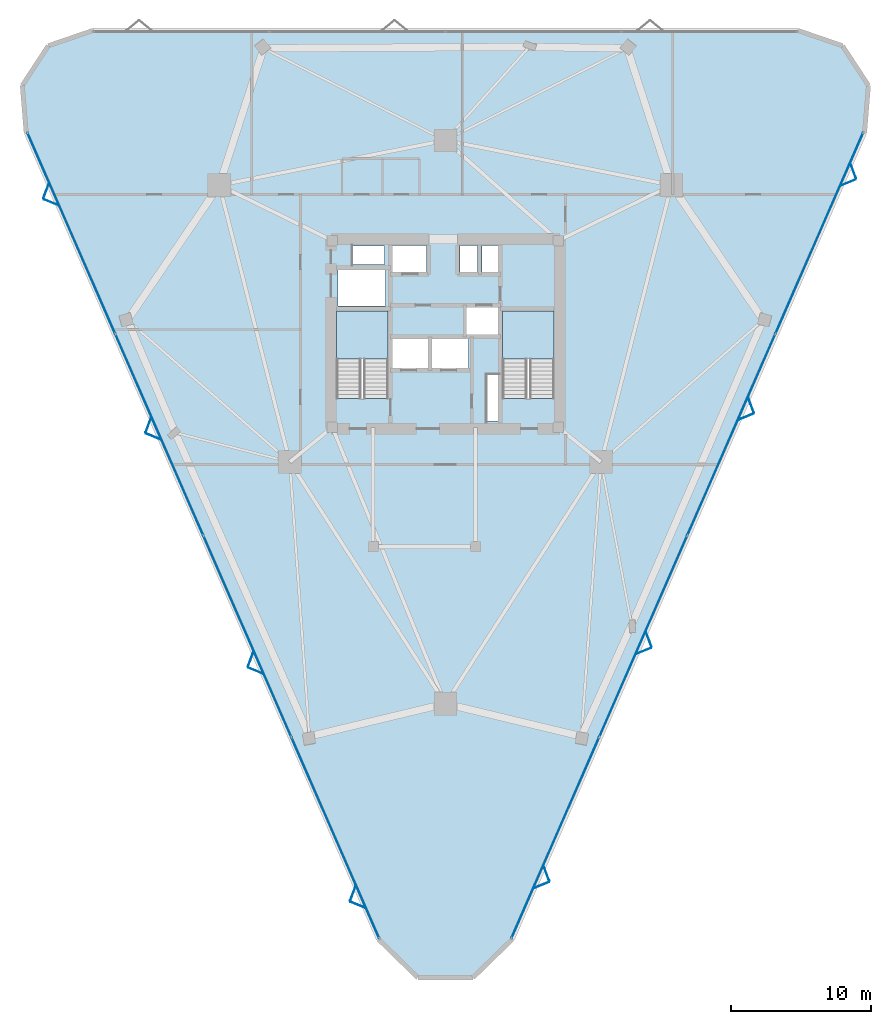
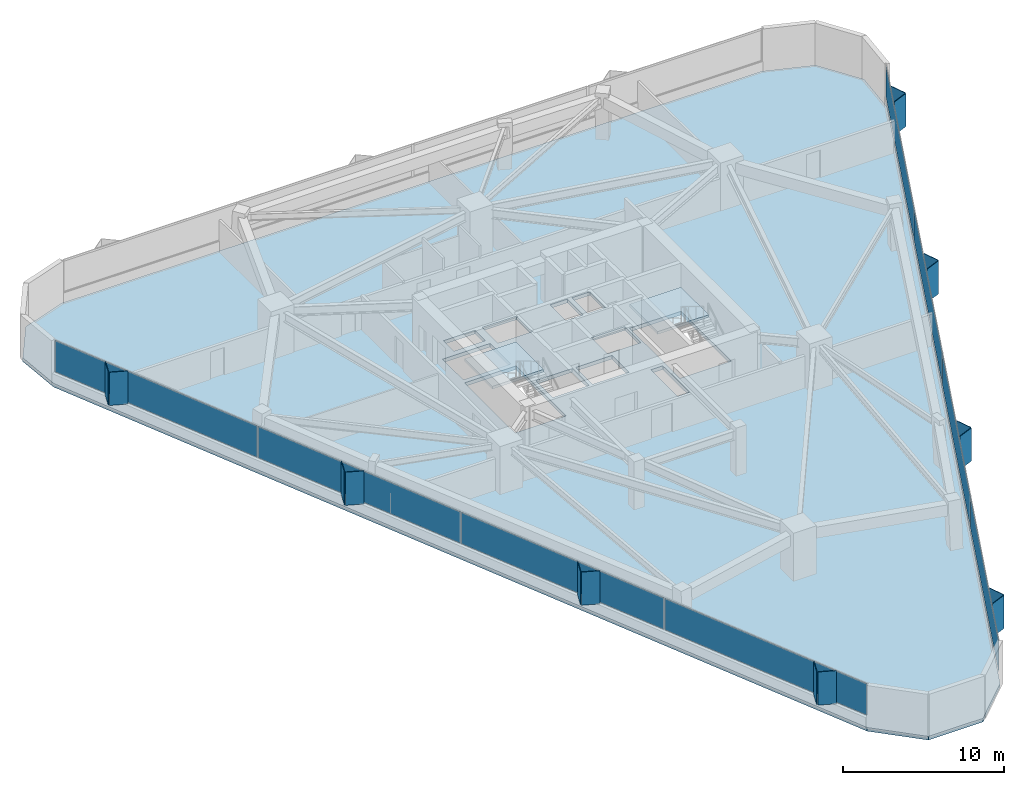
# One storey, part 9 of 14: 24 plates, 3 slabs, 4 elements without a shape of their own.
"""IFC4 building model written with IfcOpenShell, lengths in metres."""

from ifc_helpers import new_model, si_unit, direction, frame, origin, origin_2d, place, context, subcontext, project, spatial, polyline, rectangle, outline, extrude, material, layer, layer_set, type_object, element, aggregate, save


model = new_model("IFC4")

# Units and contexts
model_context = context("Model", 3, precision=1e-05, world=origin(), true_north=direction((0.0, 1.0)))
body_context = subcontext(model_context, "Body", "Model", "MODEL_VIEW")
ifc_project = project(units=[si_unit("LENGTHUNIT", "METRE"), si_unit("AREAUNIT", "SQUARE_METRE"), si_unit("VOLUMEUNIT", "CUBIC_METRE"), si_unit("PLANEANGLEUNIT", "RADIAN"), si_unit("MASSUNIT", "GRAM", prefix="KILO")], contexts=[model_context])

# Site, building, storey
site_placement = place(None, origin())
site = spatial("IfcSite", under=ifc_project, at=site_placement, CompositionType="ELEMENT")
building_placement = place(site_placement, origin())
building = spatial("IfcBuilding", under=site, at=building_placement, Name="Talyreon Biosciences Tower", CompositionType="ELEMENT")
storey_placement = place(building_placement, frame((0.0, 0.0, 115.14990234375)))
storey = spatial("IfcBuildingStorey", under=building, at=storey_placement, Name="L30", CompositionType="ELEMENT", Elevation=115.14990234375)

# Curtain wall, plates
ifc_material_1 = material(Name="Thermally broken aluminium and low-E glazing", Category="aluminium")
ifc_layer_1 = layer(ifc_material_1, 0.18994140625)
ifc_layer_set_1 = layer_set([ifc_layer_1], Name="Thermally broken aluminium and low-E glazing")
curtain_wall_type = type_object("IfcCurtainWallType", Name="CurtainWall_Zone2Genomics", PredefinedType="NOTDEFINED", material=ifc_layer_set_1)
curtain_wall_1_placement = place(storey_placement, origin())
curtain_wall_1 = element("IfcCurtainWall", 1, at=curtain_wall_1_placement, inside=storey, type_object=curtain_wall_type, Name="L30 Unitised Curtain Wall FCW-L30-00", PredefinedType="NOTDEFINED")
ifc_material_2 = material(Name="Triple-silver low-E insulated glazing", Category="glass")
ifc_layer_2 = layer(ifc_material_2, 0.031982421875)
ifc_layer_set_2 = layer_set([ifc_layer_2], Name="Triple-silver low-E insulated glazing")
plate_type_1 = type_object("IfcPlateType", Name="CWGlazingPanel_32", PredefinedType="CURTAIN_PANEL", material=ifc_layer_set_2)
plate_1_placement = place(storey_placement, frame((58.165283203125, 32.1201171875, 0.875), z_axis=(0.0, 0.0, 1.0), x_axis=(-0.400226002637, 0.916416470178, 0.0)))
plate_1 = element("IfcPlate", 2, at=plate_1_placement, type_object=plate_type_1, Name="CW3 panel 1.1", PredefinedType="CURTAIN_PANEL", context=body_context, shape_type="SweptSolid", body=[
    extrude(rectangle(XDim=15.573974609375, YDim=0.031982421875, at=origin_2d()), origin(), (0.0, 0.0, 1.0), 2.360107421875),
])
plate_2_placement = place(storey_placement, frame((51.899658203125, 46.466796875, 0.875), z_axis=(0.0, 0.0, 1.0), x_axis=(-0.400226002637, 0.916416470178, 0.0)))
plate_2 = element("IfcPlate", 3, at=plate_2_placement, type_object=plate_type_1, Name="CW3 panel 2.1", PredefinedType="CURTAIN_PANEL", context=body_context, shape_type="SweptSolid", body=[
    extrude(rectangle(XDim=15.6064453125, YDim=0.031982421875, at=origin_2d()), origin(), (0.0, 0.0, 1.0), 2.360107421875),
])
plate_3_placement = place(storey_placement, frame((45.627685546875, 60.828369140625, 0.875), z_axis=(0.0, 0.0, 1.0), x_axis=(-0.400226002637, 0.916416470178, 0.0)))
plate_3 = element("IfcPlate", 4, at=plate_3_placement, type_object=plate_type_1, Name="CW3 panel 3.1", PredefinedType="CURTAIN_PANEL", context=body_context, shape_type="SweptSolid", body=[
    extrude(rectangle(XDim=15.6064453125, YDim=0.031982421875, at=origin_2d()), origin(), (0.0, 0.0, 1.0), 2.360107421875),
])
plate_4_placement = place(storey_placement, frame((39.362060546875, 75.175048828125, 0.875), z_axis=(0.0, 0.0, 1.0), x_axis=(-0.400226002637, 0.916416470178, 0.0)))
plate_4 = element("IfcPlate", 5, at=plate_4_placement, type_object=plate_type_1, Name="CW3 panel 4.1", PredefinedType="CURTAIN_PANEL", context=body_context, shape_type="SweptSolid", body=[
    extrude(rectangle(XDim=15.573974609375, YDim=0.031982421875, at=origin_2d()), origin(), (0.0, 0.0, 1.0), 2.360107421875),
])
aggregate(curtain_wall_1, [plate_1, plate_2, plate_3, plate_4])

curtain_wall_2_placement = place(storey_placement, origin())
curtain_wall_2 = element("IfcCurtainWall", 6, at=curtain_wall_2_placement, inside=storey, type_object=curtain_wall_type, Name="L30 Unitised Curtain Wall FCW-L30-08", PredefinedType="NOTDEFINED")
plate_5_placement = place(storey_placement, frame((92.637939453125, 75.175048828125, 0.875), z_axis=(0.0, 0.0, 1.0), x_axis=(-0.400226002637, -0.916416470178, 0.0)))
plate_5 = element("IfcPlate", 7, at=plate_5_placement, type_object=plate_type_1, Name="CW3 panel 1.1", PredefinedType="CURTAIN_PANEL", context=body_context, shape_type="SweptSolid", body=[
    extrude(rectangle(XDim=15.573974609375, YDim=0.031982421875, at=origin_2d()), origin(), (0.0, 0.0, 1.0), 2.360107421875),
])
plate_6_placement = place(storey_placement, frame((86.372314453125, 60.828369140625, 0.875), z_axis=(0.0, 0.0, 1.0), x_axis=(-0.400226002637, -0.916416470178, 0.0)))
plate_6 = element("IfcPlate", 8, at=plate_6_placement, type_object=plate_type_1, Name="CW3 panel 2.1", PredefinedType="CURTAIN_PANEL", context=body_context, shape_type="SweptSolid", body=[
    extrude(rectangle(XDim=15.6064453125, YDim=0.031982421875, at=origin_2d()), origin(), (0.0, 0.0, 1.0), 2.360107421875),
])
plate_7_placement = place(storey_placement, frame((80.100341796875, 46.466796875, 0.875), z_axis=(0.0, 0.0, 1.0), x_axis=(-0.400226002637, -0.916416470178, 0.0)))
plate_7 = element("IfcPlate", 9, at=plate_7_placement, type_object=plate_type_1, Name="CW3 panel 3.1", PredefinedType="CURTAIN_PANEL", context=body_context, shape_type="SweptSolid", body=[
    extrude(rectangle(XDim=15.6064453125, YDim=0.031982421875, at=origin_2d()), origin(), (0.0, 0.0, 1.0), 2.360107421875),
])
plate_8_placement = place(storey_placement, frame((73.834716796875, 32.1201171875, 0.875), z_axis=(0.0, 0.0, 1.0), x_axis=(-0.400226002637, -0.916416470178, 0.0)))
plate_8 = element("IfcPlate", 10, at=plate_8_placement, type_object=plate_type_1, Name="CW3 panel 4.1", PredefinedType="CURTAIN_PANEL", context=body_context, shape_type="SweptSolid", body=[
    extrude(rectangle(XDim=15.573974609375, YDim=0.031982421875, at=origin_2d()), origin(), (0.0, 0.0, 1.0), 2.360107421875),
])
aggregate(curtain_wall_2, [plate_5, plate_6, plate_7, plate_8])

# Plates
ifc_material_3 = material(Name="Ivory GFRC sunshade panel", Category="concrete")
ifc_layer_3 = layer(ifc_material_3, 0.044921875)
ifc_layer_set_3 = layer_set([ifc_layer_3], Name="Ivory GFRC sunshade panel")
plate_type_2 = type_object("IfcPlateType", Name="FoldedVSunshade_SunFace_SUNSHADE", PredefinedType="USERDEFINED", material=ifc_layer_set_3)
for number, where, z_axis, x_axis, name in (
    (11, (59.776123046875, 27.332763671875, 0.7900390625), (0.0, 0.0, 1.0), (-0.924492817138, 0.381199463614, 0.0), "L30 Folded V-Sunshade Panel 00.01L"),
    (12, (59.415771484375, 28.157470703125, 0.7900390625), (0.0, 0.0, 1.0), (0.348702913177, 0.937233310516, 0.0), "L30 Folded V-Sunshade Panel 00.01R"),
    (13, (52.491943359375, 44.011474609375, 0.7900390625), (0.0, 0.0, 1.0), (-0.924492817138, 0.381199463614, 0.0), "L30 Folded V-Sunshade Panel 00.02L"),
    (14, (52.131591796875, 44.836181640625, 0.7900390625), (0.0, 0.0, 1.0), (0.348702913177, 0.937233310516, 0.0), "L30 Folded V-Sunshade Panel 00.02R"),
    (15, (45.207763671875, 60.690185546875, 0.7900390625), (0.0, 0.0, 1.0), (-0.924492817138, 0.381199463614, 0.0), "L30 Folded V-Sunshade Panel 00.03L"),
    (16, (44.84765625, 61.514892578125, 0.7900390625), (0.0, 0.0, 1.0), (0.348702913177, 0.937233310516, 0.0), "L30 Folded V-Sunshade Panel 00.03R"),
    (17, (37.923583984375, 77.369140625, 0.7900390625), (0.0, 0.0, 1.0), (-0.924492817138, 0.381199463614, 0.0), "L30 Folded V-Sunshade Panel 00.04L"),
    (18, (37.5634765625, 78.19384765625, 0.7900390625), (0.0, 0.0, 1.0), (0.348702913177, 0.937233310516, 0.0), "L30 Folded V-Sunshade Panel 00.04R"),
    (19, (95.05517578125, 79.610107421875, 0.7900390625), (0.0, 0.0, 1.0), (0.348702913177, -0.937233310516, 0.0), "L30 Folded V-Sunshade Panel 08.01L"),
    (20, (94.69482421875, 78.785400390625, 0.7900390625), (0.0, 0.0, 1.0), (-0.924492817138, -0.381199463614, 0.0), "L30 Folded V-Sunshade Panel 08.01R"),
    (21, (87.77099609375, 62.931396484375, 0.7900390625), (0.0, 0.0, 1.0), (0.348702913177, -0.937233310516, 0.0), "L30 Folded V-Sunshade Panel 08.02L"),
    (22, (87.410888671875, 62.106689453125, 0.7900390625), (0.0, 0.0, 1.0), (-0.924492817138, -0.381199463614, 0.0), "L30 Folded V-Sunshade Panel 08.02R"),
    (23, (80.48681640625, 46.252685546875, 0.7900390625), (0.0, 0.0, 1.0), (0.348702913177, -0.937233310516, 0.0), "L30 Folded V-Sunshade Panel 08.03L"),
    (24, (80.126708984375, 45.427978515625, 0.7900390625), (0.0, 0.0, 1.0), (-0.924492817138, -0.381199463614, 0.0), "L30 Folded V-Sunshade Panel 08.03R"),
    (25, (73.20263671875, 29.573974609375, 0.7900390625), (0.0, 0.0, 1.0), (0.348702913177, -0.937233310516, 0.0), "L30 Folded V-Sunshade Panel 08.04L"),
    (26, (72.842529296875, 28.7490234375, 0.7900390625), (0.0, 0.0, 1.0), (-0.924492817138, -0.381199463614, 0.0), "L30 Folded V-Sunshade Panel 08.04R"),
):
    element("IfcPlate", number, at=place(storey_placement, frame(where, z_axis=z_axis, x_axis=x_axis)), inside=storey, type_object=plate_type_2, Name=name, ObjectType="SUNSHADE", PredefinedType="USERDEFINED", context=body_context, shape_type="SweptSolid", body=[
        extrude(rectangle(XDim=1.14990234375, YDim=0.044921875, at=origin_2d()), origin(), (0.0, 0.0, 1.0), 2.510009765625),
    ])

# Stair, slab
ifc_material_4 = material(Name="Concrete C40/50", Category="concrete")
stair_type = type_object("IfcStairType", Name="DoglegEscapeStair_3650", PredefinedType="HALF_TURN_STAIR", material=ifc_material_4)
stair_1_placement = place(storey_placement, origin())
stair_1 = element("IfcStair", 27, at=stair_1_placement, inside=storey, type_object=stair_type, Name="L30 Core Escape Stair 1", PredefinedType="HALF_TURN_STAIR")
ifc_layer_4 = layer(ifc_material_4, 0.199951171875)
ifc_layer_set_4 = layer_set([ifc_layer_4], Name="Concrete C40/50")
slab_type_1 = type_object("IfcSlabType", Name="StairLandingSlab_200", PredefinedType="LANDING", material=ifc_layer_set_4)
slab_1_placement = place(storey_placement, frame((0.0, 0.0, 1.625)))
slab_1 = element("IfcSlab", 28, at=slab_1_placement, type_object=slab_type_1, Name="ST-1 landing 1", PredefinedType="LANDING", context=body_context, shape_type="SweptSolid", body=[
    extrude(outline(polyline([(61.929931640625, 66.199951171875), (61.929931640625, 69.64990234375), (58.25, 69.64990234375), (58.25, 66.199951171875), (61.929931640625, 66.199951171875)])), origin(), (0.0, 0.0, 1.0), 0.2001953125),
])
aggregate(stair_1, [slab_1])

stair_2_placement = place(storey_placement, origin())
stair_2 = element("IfcStair", 29, at=stair_2_placement, inside=storey, type_object=stair_type, Name="L30 Core Escape Stair 2", PredefinedType="HALF_TURN_STAIR")
slab_2_placement = place(storey_placement, frame((0.0, 0.0, 1.625)))
slab_2 = element("IfcSlab", 30, at=slab_2_placement, type_object=slab_type_1, Name="ST-2 landing 1", PredefinedType="LANDING", context=body_context, shape_type="SweptSolid", body=[
    extrude(outline(polyline([(73.75, 66.199951171875), (73.75, 69.64990234375), (70.070068359375, 69.64990234375), (70.070068359375, 66.199951171875), (73.75, 66.199951171875)])), origin(), (0.0, 0.0, 1.0), 0.2001953125),
])
aggregate(stair_2, [slab_2])

# Slab
ifc_layer_5 = layer(ifc_material_4, 0.27490234375)
ifc_layer_set_5 = layer_set([ifc_layer_5], Name="Concrete C40/50")
slab_type_2 = type_object("IfcSlabType", Name="WetLabFloorSlab_275", PredefinedType="FLOOR", material=ifc_layer_set_5)
slab_3_placement = place(storey_placement, frame((0.0, 0.0, -0.27490234375)))
element("IfcSlab", 31, at=slab_3_placement, inside=storey, type_object=slab_type_2, Name="L30 Structural Floor Slab", PredefinedType="FLOOR", context=body_context, shape_type="SweptSolid", body=[
    extrude(outline(polyline([(61.234619140625, 24.892578125), (36.146240234375, 82.338623046875), (35.8720703125, 85.70166015625), (37.7197265625, 88.525146484375), (40.91162109375, 89.619873046875), (91.08837890625, 89.619873046875), (94.2802734375, 88.525146484375), (96.1279296875, 85.70166015625), (95.853759765625, 82.338623046875), (70.765380859375, 24.892578125), (67.95947265625, 22.156982421875), (64.04052734375, 22.156982421875), (61.234619140625, 24.892578125)]), holes=[polyline([(61.929931640625, 69.64990234375), (61.929931640625, 63.407958984375), (58.25, 63.407958984375), (58.25, 69.64990234375), (61.929931640625, 69.64990234375)]), polyline([(64.800048828125, 67.64990234375), (64.800048828125, 65.550048828125), (62.199951171875, 65.550048828125), (62.199951171875, 67.64990234375), (64.800048828125, 67.64990234375)]), polyline([(67.64990234375, 67.64990234375), (67.64990234375, 65.550048828125), (65.050048828125, 65.550048828125), (65.050048828125, 67.64990234375), (67.64990234375, 67.64990234375)]), polyline([(61.75, 69.97998046875), (58.35009765625, 69.97998046875), (58.35009765625, 72.550048828125), (61.75, 72.550048828125), (61.75, 69.97998046875)]), polyline([(64.64990234375, 72.35009765625), (62.199951171875, 72.35009765625), (62.199951171875, 74.300048828125), (64.64990234375, 74.300048828125), (64.64990234375, 72.35009765625)]), polyline([(61.64990234375, 74.25), (61.64990234375, 72.9599609375), (59.39990234375, 72.9599609375), (59.39990234375, 74.25), (61.64990234375, 74.25)]), polyline([(69.820068359375, 61.800048828125), (68.9599609375, 61.800048828125), (68.9599609375, 65.10009765625), (69.820068359375, 65.10009765625), (69.820068359375, 61.800048828125)]), polyline([(73.75, 63.407958984375), (70.070068359375, 63.407958984375), (70.070068359375, 69.64990234375), (73.75, 69.64990234375), (73.75, 63.407958984375)]), polyline([(69.89990234375, 69.949951171875), (69.89990234375, 67.949951171875), (67.5, 67.949951171875), (67.5, 69.949951171875), (69.89990234375, 69.949951171875)]), polyline([(68.300048828125, 72.35009765625), (67.050048828125, 72.35009765625), (67.050048828125, 74.300048828125), (68.300048828125, 74.300048828125), (68.300048828125, 72.35009765625)]), polyline([(69.919921875, 72.35009765625), (68.6201171875, 72.35009765625), (68.6201171875, 74.300048828125), (69.919921875, 74.300048828125), (69.919921875, 72.35009765625)])]), origin(), (0.0, 0.0, 1.0), 0.27490234375),
])

save(model, "model.ifc")
